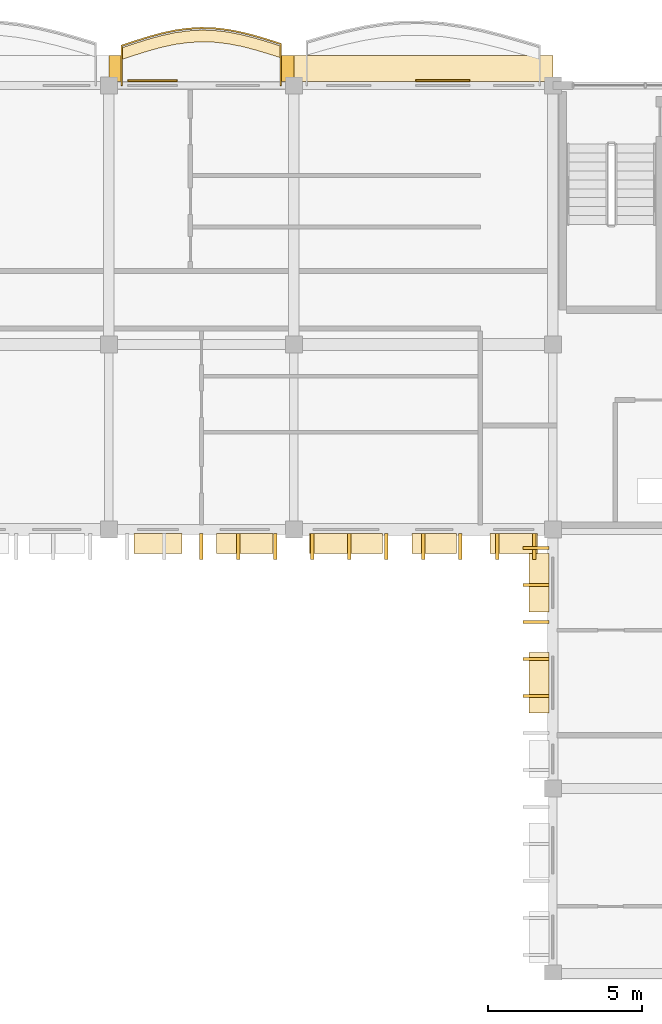
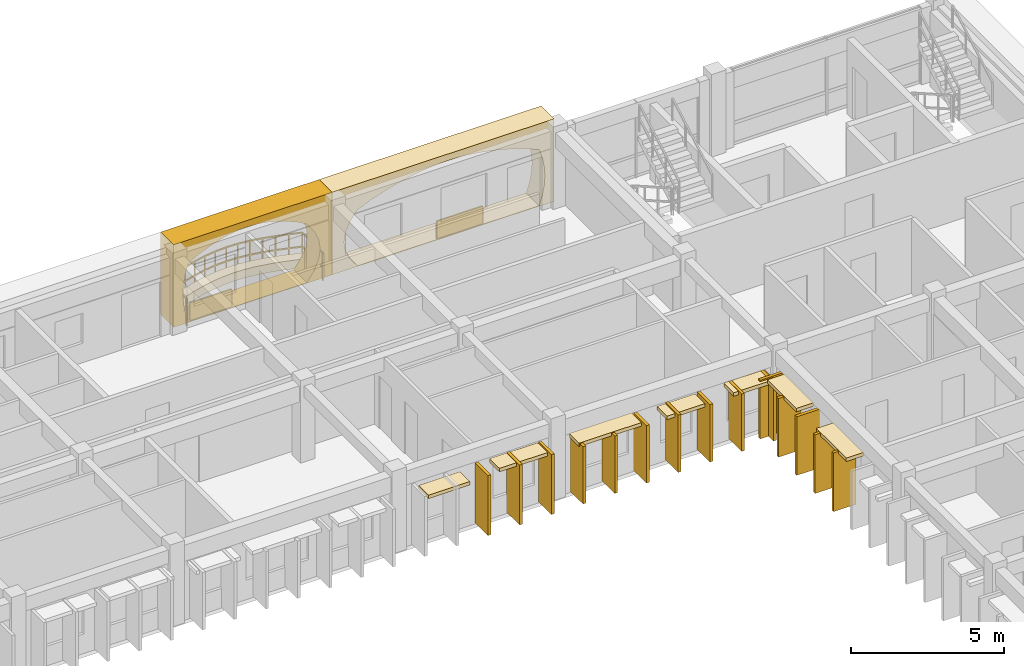
# One storey, part 57 of 59: 27 coverings, 1 railing.
"""IFC4 building model written with IfcOpenShell, lengths in metres."""

from ifc_helpers import new_model, si_unit, direction, frame, origin, origin_2d, place, context, subcontext, project, spatial, polyline, rectangle, outline, extrude, material, layer, layer_set, type_object, element, save


model = new_model("IFC4")

# Units and contexts
model_context = context("Model", 3, precision=1e-05, world=origin(), true_north=direction((0.0, 1.0)))
body_context = subcontext(model_context, "Body", "Model", "MODEL_VIEW")
ifc_project = project(units=[si_unit("LENGTHUNIT", "METRE"), si_unit("AREAUNIT", "SQUARE_METRE"), si_unit("VOLUMEUNIT", "CUBIC_METRE"), si_unit("PLANEANGLEUNIT", "RADIAN"), si_unit("MASSUNIT", "GRAM", prefix="KILO"), si_unit("THERMODYNAMICTEMPERATUREUNIT", "KELVIN")], contexts=[model_context])

# Site, building, storey
site_placement = place(None, origin())
site = spatial("IfcSite", under=ifc_project, at=site_placement, CompositionType="ELEMENT")
building_placement = place(site_placement, origin())
building = spatial("IfcBuilding", under=site, at=building_placement, Name="Thalorik Housing Commons", CompositionType="ELEMENT")
storey_placement = place(building_placement, frame((0.0, 0.0, 27.89990234375)))
storey = spatial("IfcBuildingStorey", under=building, at=storey_placement, Name="L08", CompositionType="ELEMENT", Elevation=27.89990234375)

# Coverings
ifc_material_1 = material(Name="Cobalt blue glazed ceramic facade tile panel", Category="masonry")
ifc_layer_1 = layer(ifc_material_1, 0.06005859375, Name="Cobalt blue glazed ceramic facade tile panel", Category="masonry")
ifc_layer_set_1 = layer_set([ifc_layer_1], Name="Cobalt blue glazed ceramic facade tile panel")
covering_type_1 = type_object("IfcCoveringType", Name="ARC-CLD-BLU-60", PredefinedType="CLADDING", material=ifc_layer_set_1)
covering_1_placement = place(storey_placement, frame((139.41650390625, 123.757568359375, 0.05029296875), z_axis=(0.0, 0.0, 1.0), x_axis=(-1.0, 0.0, 0.0)))
element("IfcCovering", 1, at=covering_1_placement, inside=storey, type_object=covering_type_1, Name="L08 De Stijl Recessed Window Spandrel 2711", PredefinedType="CLADDING", context=body_context, shape_type="SweptSolid", body=[
    extrude(rectangle(XDim=1.60009765625, YDim=0.06005859375, at=origin_2d()), origin(), (0.0, 0.0, 1.0), 0.699951171875),
])
ifc_material_2 = material(Name="Precast concrete C40/50", Category="concrete")
ifc_layer_2 = layer(ifc_material_2, 0.85009765625, Name="Precast concrete C40/50", Category="concrete")
ifc_layer_set_2 = layer_set([ifc_layer_2], Name="Precast concrete C40/50")
covering_type_2 = type_object("IfcCoveringType", Name="ARC-CLD-CUSH-850", PredefinedType="CLADDING", material=ifc_layer_set_2)
covering_2_placement = place(storey_placement, frame((148.199951171875, 124.1474609375, 0.0), z_axis=(0.0, 0.0, 1.0), x_axis=(-1.0, 0.0, 0.0)))
element("IfcCovering", 2, at=covering_2_placement, inside=storey, type_object=covering_type_2, Name="L08 White Precast Curved Cushion Bay Frame 2708", PredefinedType="CLADDING", context=body_context, shape_type="SweptSolid", body=[
    extrude(outline(polyline([(-4.199951171875, 0.0), (4.199951171875, 0.0), (4.199951171875, 3.300048828125), (-4.199951171875, 3.300048828125), (-4.199951171875, 0.0)]), holes=[polyline([(3.239990234375, 0.02490234375), (3.523193359375, 0.399169921875), (3.693359375, 0.773193359375), (3.75, 1.1474609375), (3.693359375, 1.521728515625), (3.523193359375, 1.895751953125), (3.239990234375, 2.27001953125), (2.66748046875, 2.50439453125), (2.094970703125, 2.6884765625), (1.5224609375, 2.837646484375), (0.949951171875, 2.948486328125), (0.37744140625, 3.016845703125), (-0.195068359375, 3.0400390625), (-0.767578125, 3.016845703125), (-1.340087890625, 2.948486328125), (-1.91259765625, 2.837646484375), (-2.485107421875, 2.6884765625), (-3.0576171875, 2.50439453125), (-3.6298828125, 2.27001953125), (-3.750244140625, 1.895751953125), (-3.822509765625, 1.521728515625), (-3.8466796875, 1.1474609375), (-3.822509765625, 0.773193359375), (-3.750244140625, 0.399169921875), (-3.6298828125, 0.02490234375), (3.239990234375, 0.02490234375)])]), frame((0.0, 0.425048828125, 0.0), z_axis=(0.0, -1.0, 0.0), x_axis=(1.0, 0.0, 0.0)), (0.0, 0.0, 1.0), 0.85009765625),
])
covering_3_placement = place(storey_placement, frame((141.0, 124.1474609375, 0.0), z_axis=(0.0, 0.0, 1.0), x_axis=(-1.0, 0.0, 0.0)))
element("IfcCovering", 3, at=covering_3_placement, inside=storey, type_object=covering_type_2, Name="L08 White Precast Curved Cushion Bay Frame 2710", PredefinedType="CLADDING", context=body_context, shape_type="SweptSolid", body=[
    extrude(outline(polyline([(-3.0, 0.0), (3.0, 0.0), (3.0, 3.300048828125), (-3.0, 3.300048828125), (-3.0, 0.0)]), holes=[polyline([(2.433349609375, 0.02490234375), (2.552978515625, 0.415771484375), (2.624755859375, 0.806640625), (2.648681640625, 1.197509765625), (2.624755859375, 1.58837890625), (2.552978515625, 1.979248046875), (2.433349609375, 2.3701171875), (2.060546875, 2.573974609375), (1.687744140625, 2.734130859375), (1.31494140625, 2.864013671875), (0.9423828125, 2.960205078125), (0.569580078125, 3.02001953125), (0.19677734375, 3.0400390625), (-0.176025390625, 3.02001953125), (-0.548828125, 2.960205078125), (-0.921630859375, 2.864013671875), (-1.29443359375, 2.734130859375), (-1.667236328125, 2.573974609375), (-2.0400390625, 2.3701171875), (-2.3232421875, 1.979248046875), (-2.493408203125, 1.58837890625), (-2.550048828125, 1.197509765625), (-2.493408203125, 0.806640625), (-2.3232421875, 0.415771484375), (-2.0400390625, 0.02490234375), (2.433349609375, 0.02490234375)])]), frame((0.0, 0.425048828125, 0.0), z_axis=(0.0, -1.0, 0.0), x_axis=(1.0, 0.0, 0.0)), (0.0, 0.0, 1.0), 0.85009765625),
])
ifc_layer_3 = layer(ifc_material_2, 0.85009765625, Name="Precast concrete C40/50", Category="concrete")
ifc_layer_set_3 = layer_set([ifc_layer_3], Name="Precast concrete C40/50")
covering_type_3 = type_object("IfcCoveringType", Name="ARC-CLD-FIN-850", PredefinedType="CLADDING", material=ifc_layer_set_3)
for number, where, z_axis, x_axis, name in (
    (4, (141.0, 108.652587890625, 0.0400390625), (0.0, 0.0, 1.0), (1.0, 0.0, 0.0), "L08 Courtyard Precast Vertical Brise-Soleil Fin 2814"),
    (5, (142.199951171875, 108.652587890625, 0.0400390625), (0.0, 0.0, 1.0), (1.0, 0.0, 0.0), "L08 Courtyard Precast Vertical Brise-Soleil Fin 2815"),
    (6, (143.39990234375, 108.652587890625, 0.0400390625), (0.0, 0.0, 1.0), (1.0, 0.0, 0.0), "L08 Courtyard Precast Vertical Brise-Soleil Fin 2816"),
):
    element("IfcCovering", number, at=place(storey_placement, frame(where, z_axis=z_axis, x_axis=x_axis)), inside=storey, type_object=covering_type_3, Name=name, PredefinedType="CLADDING", context=body_context, shape_type="SweptSolid", body=[
        extrude(rectangle(XDim=0.110107421875, YDim=0.85009765625, at=origin_2d()), origin(), (0.0, 0.0, 1.0), 2.39501953125),
    ])
for number, where, z_axis, x_axis, name in (
    (7, (144.60009765625, 108.652587890625, 0.0400390625), (0.0, 0.0, 1.0), (1.0, 0.0, 0.0), "L08 Courtyard Precast Vertical Brise-Soleil Fin 2819"),
    (8, (145.800048828125, 108.652587890625, 0.0400390625), (0.0, 0.0, 1.0), (1.0, 0.0, 0.0), "L08 Courtyard Precast Vertical Brise-Soleil Fin 2820"),
    (9, (147.0, 108.652587890625, 0.0400390625), (0.0, 0.0, 1.0), (1.0, 0.0, 0.0), "L08 Courtyard Precast Vertical Brise-Soleil Fin 2821"),
    (10, (148.199951171875, 108.652587890625, 0.0400390625), (0.0, 0.0, 1.0), (1.0, 0.0, 0.0), "L08 Courtyard Precast Vertical Brise-Soleil Fin 2822"),
    (11, (149.39990234375, 108.652587890625, 0.0400390625), (0.0, 0.0, 1.0), (1.0, 0.0, 0.0), "L08 Courtyard Precast Vertical Brise-Soleil Fin 2823"),
    (12, (150.60009765625, 108.652587890625, 0.0400390625), (0.0, 0.0, 1.0), (1.0, 0.0, 0.0), "L08 Courtyard Precast Vertical Brise-Soleil Fin 2824"),
    (13, (151.800048828125, 108.652587890625, 0.0400390625), (0.0, 0.0, 1.0), (1.0, 0.0, 0.0), "L08 Courtyard Precast Vertical Brise-Soleil Fin 2825"),
):
    element("IfcCovering", number, at=place(storey_placement, frame(where, z_axis=z_axis, x_axis=x_axis)), inside=storey, type_object=covering_type_3, Name=name, PredefinedType="CLADDING", context=body_context, shape_type="SweptSolid", body=[
        extrude(rectangle(XDim=0.110107421875, YDim=0.85009765625, at=origin_2d()), origin(), (0.0, 0.0, 1.0), 2.294921875),
    ])
for number, where, z_axis, x_axis, name in (
    (14, (151.8525390625, 108.60009765625, 0.0400390625), (0.0, 0.0, 1.0), (0.0, -1.0, 0.0), "L08 Courtyard Precast Vertical Brise-Soleil Fin 2829"),
    (15, (151.8525390625, 107.39990234375, 0.0400390625), (0.0, 0.0, 1.0), (0.0, -1.0, 0.0), "L08 Courtyard Precast Vertical Brise-Soleil Fin 2830"),
    (16, (151.8525390625, 106.199951171875, 0.0400390625), (0.0, 0.0, 1.0), (0.0, -1.0, 0.0), "L08 Courtyard Precast Vertical Brise-Soleil Fin 2831"),
    (17, (151.8525390625, 105.0, 0.0400390625), (0.0, 0.0, 1.0), (0.0, -1.0, 0.0), "L08 Courtyard Precast Vertical Brise-Soleil Fin 2832"),
    (18, (151.8525390625, 103.800048828125, 0.0400390625), (0.0, 0.0, 1.0), (0.0, -1.0, 0.0), "L08 Courtyard Precast Vertical Brise-Soleil Fin 2833"),
):
    element("IfcCovering", number, at=place(storey_placement, frame(where, z_axis=z_axis, x_axis=x_axis)), inside=storey, type_object=covering_type_3, Name=name, PredefinedType="CLADDING", context=body_context, shape_type="SweptSolid", body=[
        extrude(rectangle(XDim=0.110107421875, YDim=0.85009765625, at=origin_2d()), origin(), (0.0, 0.0, 1.0), 2.344970703125),
    ])
ifc_layer_4 = layer(ifc_material_2, 0.64990234375, Name="Precast concrete C40/50", Category="concrete")
ifc_layer_set_4 = layer_set([ifc_layer_4], Name="Precast concrete C40/50")
covering_type_4 = type_object("IfcCoveringType", Name="ARC-CLD-HOOD-650", PredefinedType="CLADDING", material=ifc_layer_set_4)
covering_4_placement = place(storey_placement, frame((139.597412109375, 108.75244140625, 2.14013671875), z_axis=(0.0, 0.0, 1.0), x_axis=(1.0, 0.0, 0.0)))
element("IfcCovering", 19, at=covering_4_placement, inside=storey, type_object=covering_type_4, Name="L08 Courtyard Precast Window Sun-Hood 2817", PredefinedType="CLADDING", context=body_context, shape_type="SweptSolid", body=[
    extrude(rectangle(XDim=1.56005859375, YDim=0.64990234375, at=origin_2d()), origin(), (0.0, 0.0, 1.0), 0.139892578125),
])
covering_5_placement = place(storey_placement, frame((142.407470703125, 108.75244140625, 2.27001953125), z_axis=(0.0, 0.0, 1.0), x_axis=(1.0, 0.0, 0.0)))
element("IfcCovering", 20, at=covering_5_placement, inside=storey, type_object=covering_type_4, Name="L08 Courtyard Precast Window Sun-Hood 2818", PredefinedType="CLADDING", context=body_context, shape_type="SweptSolid", body=[
    extrude(rectangle(XDim=1.820068359375, YDim=0.64990234375, at=origin_2d()), origin(), (0.0, 0.0, 1.0), 0.139892578125),
])
covering_6_placement = place(storey_placement, frame((145.68994140625, 108.75244140625, 2.22509765625), z_axis=(0.0, 0.0, 1.0), x_axis=(1.0, 0.0, 0.0)))
element("IfcCovering", 21, at=covering_6_placement, inside=storey, type_object=covering_type_4, Name="L08 Courtyard Precast Window Sun-Hood 2826", PredefinedType="CLADDING", context=body_context, shape_type="SweptSolid", body=[
    extrude(rectangle(XDim=2.360107421875, YDim=0.64990234375, at=origin_2d()), origin(), (0.0, 0.0, 1.0), 0.139892578125),
])
covering_7_placement = place(storey_placement, frame((148.550048828125, 108.75244140625, 2.14013671875), z_axis=(0.0, 0.0, 1.0), x_axis=(1.0, 0.0, 0.0)))
element("IfcCovering", 22, at=covering_7_placement, inside=storey, type_object=covering_type_4, Name="L08 Courtyard Precast Window Sun-Hood 2827", PredefinedType="CLADDING", context=body_context, shape_type="SweptSolid", body=[
    extrude(rectangle(XDim=1.43994140625, YDim=0.64990234375, at=origin_2d()), origin(), (0.0, 0.0, 1.0), 0.139892578125),
])
covering_8_placement = place(storey_placement, frame((151.1298828125, 108.75244140625, 2.18994140625), z_axis=(0.0, 0.0, 1.0), x_axis=(1.0, 0.0, 0.0)))
element("IfcCovering", 23, at=covering_8_placement, inside=storey, type_object=covering_type_4, Name="L08 Courtyard Precast Window Sun-Hood 2828", PredefinedType="CLADDING", context=body_context, shape_type="SweptSolid", body=[
    extrude(rectangle(XDim=1.5400390625, YDim=0.64990234375, at=origin_2d()), origin(), (0.0, 0.0, 1.0), 0.139892578125),
])
covering_9_placement = place(storey_placement, frame((151.952392578125, 107.472412109375, 2.275390625), z_axis=(0.0, 0.0, 1.0), x_axis=(0.0, -1.0, 0.0)))
element("IfcCovering", 24, at=covering_9_placement, inside=storey, type_object=covering_type_4, Name="L08 Courtyard Precast Window Sun-Hood 2836", PredefinedType="CLADDING", context=body_context, shape_type="SweptSolid", body=[
    extrude(rectangle(XDim=1.889892578125, YDim=0.64990234375, at=origin_2d()), origin(), (0.0, 0.0, 1.0), 0.139892578125),
])
covering_10_placement = place(storey_placement, frame((151.952392578125, 104.232421875, 2.275390625), z_axis=(0.0, 0.0, 1.0), x_axis=(0.0, -1.0, 0.0)))
element("IfcCovering", 25, at=covering_10_placement, inside=storey, type_object=covering_type_4, Name="L08 Courtyard Precast Window Sun-Hood 2837", PredefinedType="CLADDING", context=body_context, shape_type="SweptSolid", body=[
    extrude(rectangle(XDim=1.9599609375, YDim=0.64990234375, at=origin_2d()), origin(), (0.0, 0.0, 1.0), 0.139892578125),
])
ifc_material_3 = material(Name="Terracotta red mineral fibre-cement panel", Category="masonry")
ifc_layer_5 = layer(ifc_material_3, 0.054931640625, Name="Terracotta red mineral fibre-cement panel", Category="masonry")
ifc_layer_set_5 = layer_set([ifc_layer_5], Name="Terracotta red mineral fibre-cement panel")
covering_type_5 = type_object("IfcCoveringType", Name="ARC-CLD-RED-55", PredefinedType="CLADDING", material=ifc_layer_set_5)
covering_11_placement = place(storey_placement, frame((148.8349609375, 123.7548828125, 0.05029296875), z_axis=(0.0, 0.0, 1.0), x_axis=(-1.0, 0.0, 0.0)))
element("IfcCovering", 26, at=covering_11_placement, inside=storey, type_object=covering_type_5, Name="L08 De Stijl Recessed Window Spandrel 2709", PredefinedType="CLADDING", context=body_context, shape_type="SweptSolid", body=[
    extrude(rectangle(XDim=1.75, YDim=0.054931640625, at=origin_2d()), origin(), (0.0, 0.0, 1.0), 0.699951171875),
])
ifc_material_4 = material(Name="Planted vegetated substrate and terracotta trough", Category="masonry")
ifc_layer_6 = layer(ifc_material_4, 0.340087890625, Name="Planted vegetated substrate and terracotta trough", Category="masonry")
ifc_layer_set_6 = layer_set([ifc_layer_6], Name="Planted vegetated substrate and terracotta trough")
covering_type_6 = type_object("IfcCoveringType", Name="ARC-COV-PLANTER", PredefinedType="USERDEFINED", material=ifc_layer_set_6)
covering_12_placement = place(storey_placement, origin())
element("IfcCovering", 27, at=covering_12_placement, inside=storey, type_object=covering_type_6, Name="L08 Balcony Slab-Edge Planted Trough 5520", ObjectType="PLANTER", PredefinedType="USERDEFINED", context=body_context, shape_type="SweptSolid", body=[
    extrude(outline(polyline([(143.580078125, 124.877197265625), (143.14990234375, 125.014404296875), (142.719970703125, 125.141845703125), (142.2900390625, 125.2509765625), (141.860107421875, 125.333251953125), (141.429931640625, 125.383056640625), (141.0, 125.39599609375), (140.570068359375, 125.37158203125), (140.139892578125, 125.310791015625), (139.7099609375, 125.218017578125), (139.280029296875, 125.099853515625), (138.85009765625, 124.964599609375), (138.419921875, 124.82177734375), (138.419921875, 124.441650390625), (138.85009765625, 124.584716796875), (139.280029296875, 124.719970703125), (139.7099609375, 124.838134765625), (140.139892578125, 124.930908203125), (140.570068359375, 124.991455078125), (141.0, 125.01611328125), (141.429931640625, 125.0029296875), (141.860107421875, 124.953369140625), (142.2900390625, 124.87109375), (142.719970703125, 124.761962890625), (143.14990234375, 124.63427734375), (143.580078125, 124.497314453125), (143.580078125, 124.877197265625)])), origin(), (0.0, 0.0, 1.0), 0.340087890625),
])

# Railing
ifc_material_5 = material(Name="Steel S355", Category="steel")
railing_type = type_object("IfcRailingType", Name="ARC-RL-BAL-112", PredefinedType="BALUSTRADE", material=ifc_material_5)
railing_placement = place(storey_placement, frame((143.580078125, 123.60009765625, 0.0)))
element("IfcRailing", 28, at=railing_placement, inside=storey, type_object=railing_type, Name="L08 Cushion Balcony Guardrail 204", PredefinedType="BALUSTRADE", context=body_context, shape_type="SweptSolid", body=[
    extrude(rectangle(XDim=0.050048828125, YDim=0.050048828125, at=origin_2d()), frame((0.0, 0.0, 1.09521484375), z_axis=(0.0, 1.0, 0.0), x_axis=(-1.0, 0.0, 0.0)), (0.0, 0.0, 1.0), 1.34716796875),
    extrude(rectangle(XDim=0.050048828125, YDim=0.050048828125, at=origin_2d()), frame((0.0, 0.0, 0.53515625), z_axis=(0.0, 1.0, 0.0), x_axis=(-1.0, 0.0, 0.0)), (0.0, 0.0, 1.0), 1.34716796875),
    extrude(rectangle(XDim=0.050048828125, YDim=0.050048828125, at=origin_2d()), frame((0.0, 1.34716796875, 1.09521484375), z_axis=(-0.952868945001, 0.303382223692, 0.0), x_axis=(-0.303382223692, -0.952868945001, 0.0)), (0.0, 0.0, 1.0), 0.451416015625),
    extrude(rectangle(XDim=0.050048828125, YDim=0.050048828125, at=origin_2d()), frame((0.0, 1.34716796875, 0.53515625), z_axis=(-0.952868945001, 0.303382223692, 0.0), x_axis=(-0.303382223692, -0.952868945001, 0.0)), (0.0, 0.0, 1.0), 0.451416015625),
    extrude(rectangle(XDim=0.050048828125, YDim=0.050048828125, at=origin_2d()), frame((-0.43017578125, 1.484130859375, 1.09521484375), z_axis=(-0.958616693349, 0.284699903817, 0.0), x_axis=(-0.284699903817, -0.958616693349, 0.0)), (0.0, 0.0, 1.0), 0.448486328125),
    extrude(rectangle(XDim=0.050048828125, YDim=0.050048828125, at=origin_2d()), frame((-0.43017578125, 1.484130859375, 0.53515625), z_axis=(-0.958616693349, 0.284699903817, 0.0), x_axis=(-0.284699903817, -0.958616693349, 0.0)), (0.0, 0.0, 1.0), 0.448486328125),
    extrude(rectangle(XDim=0.050048828125, YDim=0.050048828125, at=origin_2d()), frame((-0.860107421875, 1.61181640625, 1.09521484375), z_axis=(-0.969262026984, 0.246030735981, 0.0), x_axis=(-0.246030735981, -0.969262026984, 0.0)), (0.0, 0.0, 1.0), 0.443603515625),
    extrude(rectangle(XDim=0.050048828125, YDim=0.050048828125, at=origin_2d()), frame((-0.860107421875, 1.61181640625, 0.53515625), z_axis=(-0.969262026984, 0.246030735981, 0.0), x_axis=(-0.246030735981, -0.969262026984, 0.0)), (0.0, 0.0, 1.0), 0.443603515625),
    extrude(rectangle(XDim=0.050048828125, YDim=0.050048828125, at=origin_2d()), frame((-1.2900390625, 1.720947265625, 1.09521484375), z_axis=(-0.982177105066, 0.187957799209, 0.0), x_axis=(-0.187957799209, -0.982177105066, 0.0)), (0.0, 0.0, 1.0), 0.437744140625),
    extrude(rectangle(XDim=0.050048828125, YDim=0.050048828125, at=origin_2d()), frame((-1.2900390625, 1.720947265625, 0.53515625), z_axis=(-0.982177105066, 0.187957799209, 0.0), x_axis=(-0.187957799209, -0.982177105066, 0.0)), (0.0, 0.0, 1.0), 0.437744140625),
    extrude(rectangle(XDim=0.050048828125, YDim=0.050048828125, at=origin_2d()), frame((-1.719970703125, 1.80322265625, 1.09521484375), z_axis=(-0.993428674956, 0.114452906366, 0.0), x_axis=(-0.114452906366, -0.993428674956, 0.0)), (0.0, 0.0, 1.0), 0.43310546875),
    extrude(rectangle(XDim=0.050048828125, YDim=0.050048828125, at=origin_2d()), frame((-1.719970703125, 1.80322265625, 0.53515625), z_axis=(-0.993428674956, 0.114452906366, 0.0), x_axis=(-0.114452906366, -0.993428674956, 0.0)), (0.0, 0.0, 1.0), 0.43310546875),
    extrude(rectangle(XDim=0.050048828125, YDim=0.050048828125, at=origin_2d()), frame((-2.150146484375, 1.852783203125, 1.09521484375), z_axis=(-0.999530178738, 0.030649988445, 0.0), x_axis=(-0.030649988445, -0.999530178738, 0.0)), (0.0, 0.0, 1.0), 0.43017578125),
    extrude(rectangle(XDim=0.050048828125, YDim=0.050048828125, at=origin_2d()), frame((-2.150146484375, 1.852783203125, 0.53515625), z_axis=(-0.999530178738, 0.030649988445, 0.0), x_axis=(-0.030649988445, -0.999530178738, 0.0)), (0.0, 0.0, 1.0), 0.43017578125),
    extrude(rectangle(XDim=0.050048828125, YDim=0.050048828125, at=origin_2d()), frame((-2.580078125, 1.865966796875, 1.09521484375), z_axis=(-0.998359318778, -0.057259677, 0.0), x_axis=(0.057259677, -0.998359318778, 0.0)), (0.0, 0.0, 1.0), 0.4306640625),
    extrude(rectangle(XDim=0.050048828125, YDim=0.050048828125, at=origin_2d()), frame((-2.580078125, 1.865966796875, 0.53515625), z_axis=(-0.998359318778, -0.057259677, 0.0), x_axis=(0.057259677, -0.998359318778, 0.0)), (0.0, 0.0, 1.0), 0.4306640625),
    extrude(rectangle(XDim=0.050048828125, YDim=0.050048828125, at=origin_2d()), frame((-3.010009765625, 1.84130859375, 1.09521484375), z_axis=(-0.990239618738, -0.139375383341, 0.0), x_axis=(0.139375383341, -0.990239618738, 0.0)), (0.0, 0.0, 1.0), 0.434326171875),
    extrude(rectangle(XDim=0.050048828125, YDim=0.050048828125, at=origin_2d()), frame((-3.010009765625, 1.84130859375, 0.53515625), z_axis=(-0.990239618738, -0.139375383341, 0.0), x_axis=(0.139375383341, -0.990239618738, 0.0)), (0.0, 0.0, 1.0), 0.434326171875),
    extrude(rectangle(XDim=0.050048828125, YDim=0.050048828125, at=origin_2d()), frame((-3.440185546875, 1.78076171875, 1.09521484375), z_axis=(-0.977500851063, -0.210931472688, 0.0), x_axis=(0.210931472688, -0.977500851063, 0.0)), (0.0, 0.0, 1.0), 0.43994140625),
    extrude(rectangle(XDim=0.050048828125, YDim=0.050048828125, at=origin_2d()), frame((-3.440185546875, 1.78076171875, 0.53515625), z_axis=(-0.977500851063, -0.210931472688, 0.0), x_axis=(0.210931472688, -0.977500851063, 0.0)), (0.0, 0.0, 1.0), 0.43994140625),
    extrude(rectangle(XDim=0.050048828125, YDim=0.050048828125, at=origin_2d()), frame((-3.8701171875, 1.68798828125, 1.09521484375), z_axis=(-0.964243880098, -0.265016489476, 0.0), x_axis=(0.265016489476, -0.964243880098, 0.0)), (0.0, 0.0, 1.0), 0.44580078125),
    extrude(rectangle(XDim=0.050048828125, YDim=0.050048828125, at=origin_2d()), frame((-3.8701171875, 1.68798828125, 0.53515625), z_axis=(-0.964243880098, -0.265016489476, 0.0), x_axis=(0.265016489476, -0.964243880098, 0.0)), (0.0, 0.0, 1.0), 0.44580078125),
    extrude(rectangle(XDim=0.050048828125, YDim=0.050048828125, at=origin_2d()), frame((-4.300048828125, 1.56982421875, 1.09521484375), z_axis=(-0.953909569084, -0.300094208559, 0.0), x_axis=(0.300094208559, -0.953909569084, 0.0)), (0.0, 0.0, 1.0), 0.45068359375),
    extrude(rectangle(XDim=0.050048828125, YDim=0.050048828125, at=origin_2d()), frame((-4.300048828125, 1.56982421875, 0.53515625), z_axis=(-0.953909569084, -0.300094208559, 0.0), x_axis=(0.300094208559, -0.953909569084, 0.0)), (0.0, 0.0, 1.0), 0.45068359375),
    extrude(rectangle(XDim=0.050048828125, YDim=0.050048828125, at=origin_2d()), frame((-4.72998046875, 1.4345703125, 1.09521484375), z_axis=(-0.9488984919, -0.315581450768, 0.0), x_axis=(0.315581450768, -0.9488984919, 0.0)), (0.0, 0.0, 1.0), 0.453369140625),
    extrude(rectangle(XDim=0.050048828125, YDim=0.050048828125, at=origin_2d()), frame((-4.72998046875, 1.4345703125, 0.53515625), z_axis=(-0.9488984919, -0.315581450768, 0.0), x_axis=(0.315581450768, -0.9488984919, 0.0)), (0.0, 0.0, 1.0), 0.453369140625),
    extrude(rectangle(XDim=0.050048828125, YDim=0.050048828125, at=origin_2d()), frame((-5.16015625, 1.29150390625, 1.09521484375), z_axis=(0.0, -1.0, 0.0), x_axis=(1.0, 0.0, 0.0)), (0.0, 0.0, 1.0), 1.29150390625),
    extrude(rectangle(XDim=0.050048828125, YDim=0.050048828125, at=origin_2d()), frame((-5.16015625, 1.29150390625, 0.53515625), z_axis=(0.0, -1.0, 0.0), x_axis=(1.0, 0.0, 0.0)), (0.0, 0.0, 1.0), 1.29150390625),
    extrude(rectangle(XDim=0.0419921875, YDim=0.0419921875, at=origin_2d()), origin(), (0.0, 0.0, 1.0), 1.070068359375),
    extrude(rectangle(XDim=0.0419921875, YDim=0.0419921875, at=origin_2d()), frame((0.0, 1.34716796875, 0.0)), (0.0, 0.0, 1.0), 1.070068359375),
    extrude(rectangle(XDim=0.0419921875, YDim=0.0419921875, at=origin_2d()), frame((-0.43017578125, 1.484130859375, 0.0)), (0.0, 0.0, 1.0), 1.070068359375),
    extrude(rectangle(XDim=0.0419921875, YDim=0.0419921875, at=origin_2d()), frame((-0.860107421875, 1.61181640625, 0.0)), (0.0, 0.0, 1.0), 1.070068359375),
    extrude(rectangle(XDim=0.0419921875, YDim=0.0419921875, at=origin_2d()), frame((-1.2900390625, 1.720947265625, 0.0)), (0.0, 0.0, 1.0), 1.070068359375),
    extrude(rectangle(XDim=0.0419921875, YDim=0.0419921875, at=origin_2d()), frame((-1.719970703125, 1.80322265625, 0.0)), (0.0, 0.0, 1.0), 1.070068359375),
    extrude(rectangle(XDim=0.0419921875, YDim=0.0419921875, at=origin_2d()), frame((-2.150146484375, 1.852783203125, 0.0)), (0.0, 0.0, 1.0), 1.070068359375),
    extrude(rectangle(XDim=0.0419921875, YDim=0.0419921875, at=origin_2d()), frame((-2.580078125, 1.865966796875, 0.0)), (0.0, 0.0, 1.0), 1.070068359375),
    extrude(rectangle(XDim=0.0419921875, YDim=0.0419921875, at=origin_2d()), frame((-3.010009765625, 1.84130859375, 0.0)), (0.0, 0.0, 1.0), 1.070068359375),
    extrude(rectangle(XDim=0.0419921875, YDim=0.0419921875, at=origin_2d()), frame((-3.440185546875, 1.78076171875, 0.0)), (0.0, 0.0, 1.0), 1.070068359375),
    extrude(rectangle(XDim=0.0419921875, YDim=0.0419921875, at=origin_2d()), frame((-3.8701171875, 1.68798828125, 0.0)), (0.0, 0.0, 1.0), 1.070068359375),
    extrude(rectangle(XDim=0.0419921875, YDim=0.0419921875, at=origin_2d()), frame((-4.300048828125, 1.56982421875, 0.0)), (0.0, 0.0, 1.0), 1.070068359375),
    extrude(rectangle(XDim=0.0419921875, YDim=0.0419921875, at=origin_2d()), frame((-4.72998046875, 1.4345703125, 0.0)), (0.0, 0.0, 1.0), 1.070068359375),
    extrude(rectangle(XDim=0.0419921875, YDim=0.0419921875, at=origin_2d()), frame((-5.16015625, 1.29150390625, 0.0)), (0.0, 0.0, 1.0), 1.070068359375),
    extrude(rectangle(XDim=0.0419921875, YDim=0.0419921875, at=origin_2d()), frame((-5.16015625, 0.0, 0.0)), (0.0, 0.0, 1.0), 1.070068359375),
])

save(model, "model.ifc")
